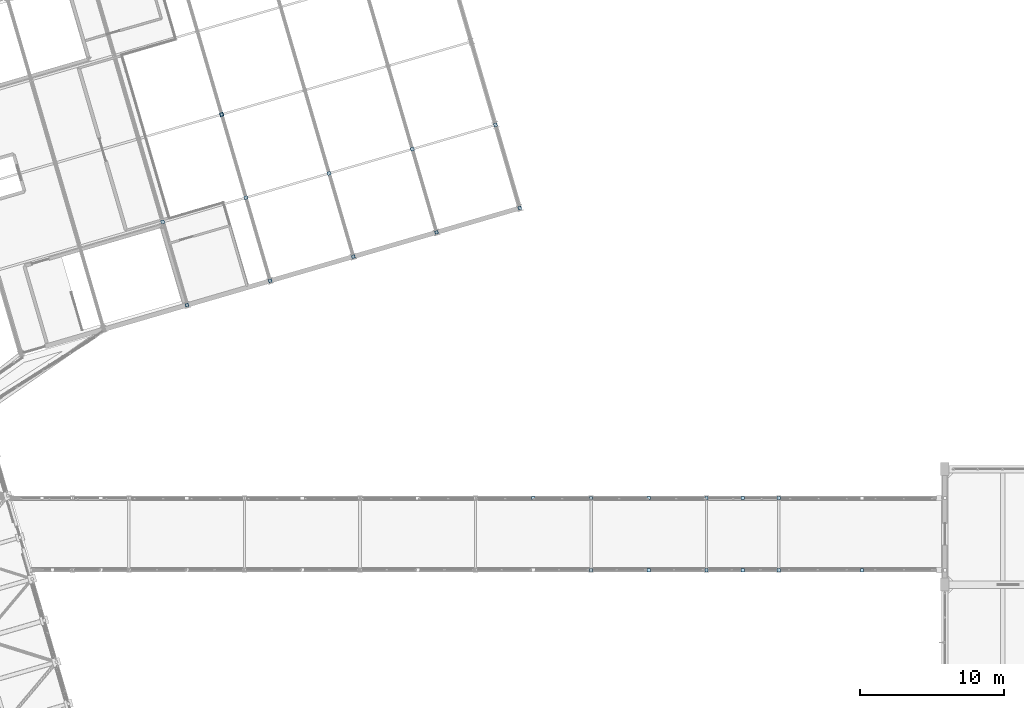
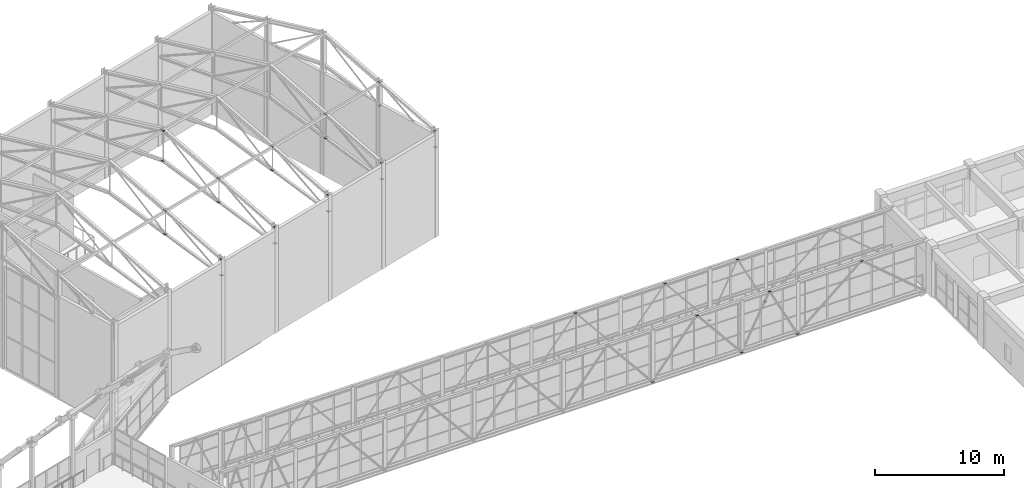
# One storey, part 219 of 248: 35 plates.
"""IFC4 building model written with IfcOpenShell, lengths in metres."""

from ifc_helpers import new_model, si_unit, direction, frame, origin, origin_2d, place, context, subcontext, project, spatial, rectangle, extrude, material, layer, layer_set, type_object, element, save


model = new_model("IFC4")

# Units and contexts
model_context = context("Model", 3, precision=1e-05, world=origin(), true_north=direction((0.0, 1.0)))
body_context = subcontext(model_context, "Body", "Model", "MODEL_VIEW")
ifc_project = project(units=[si_unit("LENGTHUNIT", "METRE"), si_unit("AREAUNIT", "SQUARE_METRE"), si_unit("VOLUMEUNIT", "CUBIC_METRE"), si_unit("PLANEANGLEUNIT", "RADIAN"), si_unit("MASSUNIT", "GRAM", prefix="KILO")], contexts=[model_context])

# Site, building, storey
site_placement = place(None, origin())
site = spatial("IfcSite", under=ifc_project, at=site_placement, CompositionType="ELEMENT")
building_placement = place(site_placement, origin())
building = spatial("IfcBuilding", under=site, at=building_placement, Name="Canggui Botanical Conservatory", CompositionType="ELEMENT")
storey_placement = place(building_placement, frame((0.0, 0.0, 5.39990234375)))
storey = spatial("IfcBuildingStorey", under=building, at=storey_placement, Name="L02", CompositionType="ELEMENT", Elevation=5.39990234375)

# Plates
ifc_material = material(Name="Steel Q355B", Category="steel")
ifc_layer = layer(ifc_material, 0.02001953125, Name="Steel Q355B", Category="steel")
ifc_layer_set = layer_set([ifc_layer], Name="Steel Q355B")
plate_type = type_object("IfcPlateType", Name="PLT-CAP-20", PredefinedType="USERDEFINED", material=ifc_layer_set)
for number, where, z_axis, x_axis, name in (
    (1, (77.52001953125, 93.360107421875, 8.39013671875), (0.0, 0.0, 1.0), (0.960000000041, 0.279999999861, 0.0), "CP-AT-03-WB1-0"),
    (2, (75.840087890625, 99.1201171875, 11.64013671875), (0.0, 0.0, 1.0), (0.960000000041, 0.279999999861, 0.0), "CP-AT-03-WB1-1"),
    (3, (75.840087890625, 99.1201171875, 9.39013671875), (0.0, 0.0, 1.0), (0.960000000041, 0.279999999861, 0.0), "CP-AT-03-WB2-0"),
):
    element("IfcPlate", number, at=place(storey_placement, frame(where, z_axis=z_axis, x_axis=x_axis)), inside=storey, type_object=plate_type, Name=name, ObjectType="END CAP PLATE", PredefinedType="USERDEFINED", context=body_context, shape_type="SweptSolid", body=[
        extrude(rectangle(XDim=0.239990234375, YDim=0.239990234375, at=origin_2d()), origin(), (0.0, 0.0, 1.0), 0.02001953125),
    ])
plate_1_placement = place(storey_placement, frame((77.52001953125, 93.360107421875, 9.940185546875), z_axis=(0.0, 0.0, 1.0), x_axis=(0.960000000041, 0.279999999861, 0.0)))
element("IfcPlate", 4, at=plate_1_placement, inside=storey, type_object=plate_type, Name="CP-AT-03-VT1-1", ObjectType="END CAP PLATE", PredefinedType="USERDEFINED", context=body_context, shape_type="SweptSolid", body=[
    extrude(rectangle(XDim=0.199951171875, YDim=0.199951171875, at=origin_2d()), origin(), (0.0, 0.0, 1.0), 0.02001953125),
])
for number, where, z_axis, x_axis, name in (
    (5, (83.280029296875, 95.0400390625, 8.39013671875), (0.0, 0.0, 1.0), (0.960000000041, 0.279999999861, 0.0), "CP-AT-04-WB1-0"),
    (6, (81.60009765625, 100.800048828125, 11.64013671875), (0.0, 0.0, 1.0), (0.960000000041, 0.279999999861, 0.0), "CP-AT-04-WB1-1"),
    (7, (81.60009765625, 100.800048828125, 9.39013671875), (0.0, 0.0, 1.0), (0.960000000041, 0.279999999861, 0.0), "CP-AT-04-WB2-0"),
    (8, (79.919921875, 106.56005859375, 13.340087890625), (0.0, 0.0, 1.0), (0.960000000041, 0.279999999861, 0.0), "CP-AT-04-WB2-1"),
):
    element("IfcPlate", number, at=place(storey_placement, frame(where, z_axis=z_axis, x_axis=x_axis)), inside=storey, type_object=plate_type, Name=name, ObjectType="END CAP PLATE", PredefinedType="USERDEFINED", context=body_context, shape_type="SweptSolid", body=[
        extrude(rectangle(XDim=0.239990234375, YDim=0.239990234375, at=origin_2d()), origin(), (0.0, 0.0, 1.0), 0.02001953125),
    ])
for number, where, z_axis, x_axis, name in (
    (9, (83.280029296875, 95.0400390625, 9.940185546875), (0.0, 0.0, 1.0), (0.960000000041, 0.279999999861, 0.0), "CP-AT-04-VT1-1"),
    (10, (79.919921875, 106.56005859375, 10.39013671875), (0.0, 0.0, 1.0), (0.960000000041, 0.279999999861, 0.0), "CP-AT-04-VT3-0"),
):
    element("IfcPlate", number, at=place(storey_placement, frame(where, z_axis=z_axis, x_axis=x_axis)), inside=storey, type_object=plate_type, Name=name, ObjectType="END CAP PLATE", PredefinedType="USERDEFINED", context=body_context, shape_type="SweptSolid", body=[
        extrude(rectangle(XDim=0.199951171875, YDim=0.199951171875, at=origin_2d()), origin(), (0.0, 0.0, 1.0), 0.02001953125),
    ])
for number, where, z_axis, x_axis, name in (
    (11, (89.0400390625, 96.719970703125, 8.39013671875), (0.0, 0.0, 1.0), (0.960000000041, 0.279999999861, 0.0), "CP-AT-05-WB1-0"),
    (12, (87.360107421875, 102.47998046875, 11.64013671875), (0.0, 0.0, 1.0), (0.960000000041, 0.279999999861, 0.0), "CP-AT-05-WB1-1"),
    (13, (87.360107421875, 102.47998046875, 9.39013671875), (0.0, 0.0, 1.0), (0.960000000041, 0.279999999861, 0.0), "CP-AT-05-WB2-0"),
):
    element("IfcPlate", number, at=place(storey_placement, frame(where, z_axis=z_axis, x_axis=x_axis)), inside=storey, type_object=plate_type, Name=name, ObjectType="END CAP PLATE", PredefinedType="USERDEFINED", context=body_context, shape_type="SweptSolid", body=[
        extrude(rectangle(XDim=0.239990234375, YDim=0.239990234375, at=origin_2d()), origin(), (0.0, 0.0, 1.0), 0.02001953125),
    ])
plate_2_placement = place(storey_placement, frame((89.0400390625, 96.719970703125, 9.940185546875), z_axis=(0.0, 0.0, 1.0), x_axis=(0.960000000041, 0.279999999861, 0.0)))
element("IfcPlate", 14, at=plate_2_placement, inside=storey, type_object=plate_type, Name="CP-AT-05-VT1-1", ObjectType="END CAP PLATE", PredefinedType="USERDEFINED", context=body_context, shape_type="SweptSolid", body=[
    extrude(rectangle(XDim=0.199951171875, YDim=0.199951171875, at=origin_2d()), origin(), (0.0, 0.0, 1.0), 0.02001953125),
])
for number, where, z_axis, x_axis, name in (
    (15, (94.800048828125, 98.39990234375, 8.39013671875), (0.0, 0.0, 1.0), (0.960000000041, 0.279999999861, 0.0), "CP-AT-06-WB1-0"),
    (16, (93.1201171875, 104.159912109375, 11.64013671875), (0.0, 0.0, 1.0), (0.960000000041, 0.279999999861, 0.0), "CP-AT-06-WB1-1"),
    (17, (93.1201171875, 104.159912109375, 9.39013671875), (0.0, 0.0, 1.0), (0.960000000041, 0.279999999861, 0.0), "CP-AT-06-WB2-0"),
):
    element("IfcPlate", number, at=place(storey_placement, frame(where, z_axis=z_axis, x_axis=x_axis)), inside=storey, type_object=plate_type, Name=name, ObjectType="END CAP PLATE", PredefinedType="USERDEFINED", context=body_context, shape_type="SweptSolid", body=[
        extrude(rectangle(XDim=0.239990234375, YDim=0.239990234375, at=origin_2d()), origin(), (0.0, 0.0, 1.0), 0.02001953125),
    ])
plate_3_placement = place(storey_placement, frame((94.800048828125, 98.39990234375, 9.940185546875), z_axis=(0.0, 0.0, 1.0), x_axis=(0.960000000041, 0.279999999861, 0.0)))
element("IfcPlate", 18, at=plate_3_placement, inside=storey, type_object=plate_type, Name="CP-AT-06-VT1-1", ObjectType="END CAP PLATE", PredefinedType="USERDEFINED", context=body_context, shape_type="SweptSolid", body=[
    extrude(rectangle(XDim=0.199951171875, YDim=0.199951171875, at=origin_2d()), origin(), (0.0, 0.0, 1.0), 0.02001953125),
])
for number, where, z_axis, x_axis, name in (
    (19, (100.56005859375, 100.080078125, 8.39013671875), (0.0, 0.0, 1.0), (0.960000000041, 0.279999999861, 0.0), "CP-AT-07-WB1-0"),
    (20, (98.8798828125, 105.840087890625, 11.64013671875), (0.0, 0.0, 1.0), (0.960000000041, 0.279999999861, 0.0), "CP-AT-07-WB1-1"),
    (21, (98.8798828125, 105.840087890625, 9.39013671875), (0.0, 0.0, 1.0), (0.960000000041, 0.279999999861, 0.0), "CP-AT-07-WB2-0"),
):
    element("IfcPlate", number, at=place(storey_placement, frame(where, z_axis=z_axis, x_axis=x_axis)), inside=storey, type_object=plate_type, Name=name, ObjectType="END CAP PLATE", PredefinedType="USERDEFINED", context=body_context, shape_type="SweptSolid", body=[
        extrude(rectangle(XDim=0.239990234375, YDim=0.239990234375, at=origin_2d()), origin(), (0.0, 0.0, 1.0), 0.02001953125),
    ])
plate_4_placement = place(storey_placement, frame((100.56005859375, 100.080078125, 9.940185546875), z_axis=(0.0, 0.0, 1.0), x_axis=(0.960000000041, 0.279999999861, 0.0)))
element("IfcPlate", 22, at=plate_4_placement, inside=storey, type_object=plate_type, Name="CP-AT-07-VT1-1", ObjectType="END CAP PLATE", PredefinedType="USERDEFINED", context=body_context, shape_type="SweptSolid", body=[
    extrude(rectangle(XDim=0.199951171875, YDim=0.199951171875, at=origin_2d()), origin(), (0.0, 0.0, 1.0), 0.02001953125),
])
plate_5_placement = place(storey_placement, frame((79.919921875, 106.56005859375, 13.239990234375), z_axis=(0.0, 0.0, 1.0), x_axis=(0.960000000041, 0.279999999861, 0.0)))
element("IfcPlate", 23, at=plate_5_placement, inside=storey, type_object=plate_type, Name="CP-AUD-PUR-03-2-1", ObjectType="END CAP PLATE", PredefinedType="USERDEFINED", context=body_context, shape_type="SweptSolid", body=[
    extrude(rectangle(XDim=0.280029296875, YDim=0.280029296875, at=origin_2d()), origin(), (0.0, 0.0, 1.0), 0.02001953125),
])
for number, where, z_axis, x_axis, name in (
    (24, (105.5, 75.0, -0.35986328125), (0.0, 0.0, 1.0), (1.0, 0.0, 0.0), "CP-SB-04-WBM-0-6B-1"),
    (25, (109.5, 75.0, 4.5400390625), (0.0, 0.0, 1.0), (1.0, 0.0, 0.0), "CP-SB-04-WBM-0-7A-1"),
    (26, (113.5, 75.0, -0.35986328125), (0.0, 0.0, 1.0), (1.0, 0.0, 0.0), "CP-SB-04-WBM-0-7B-1"),
    (27, (116.0, 75.0, 4.5400390625), (0.0, 0.0, 1.0), (1.0, 0.0, 0.0), "CP-SB-04-WBM-0-8A-1"),
    (28, (118.5, 75.0, -0.35986328125), (0.0, 0.0, 1.0), (1.0, 0.0, 0.0), "CP-SB-04-WBM-0-8B-1"),
    (29, (124.25, 75.0, 4.5400390625), (0.0, 0.0, 1.0), (1.0, 0.0, 0.0), "CP-SB-04-WBM-0-9A-1"),
    (30, (101.5, 80.0, 4.5400390625), (0.0, 0.0, 1.0), (1.0, 0.0, 0.0), "CP-SB-04-WBM-1-6A-1"),
    (31, (105.5, 80.0, -0.35986328125), (0.0, 0.0, 1.0), (1.0, 0.0, 0.0), "CP-SB-04-WBM-1-6B-1"),
    (32, (109.5, 80.0, 4.5400390625), (0.0, 0.0, 1.0), (1.0, 0.0, 0.0), "CP-SB-04-WBM-1-7A-1"),
    (33, (113.5, 80.0, -0.35986328125), (0.0, 0.0, 1.0), (1.0, 0.0, 0.0), "CP-SB-04-WBM-1-7B-1"),
    (34, (116.0, 80.0, 4.5400390625), (0.0, 0.0, 1.0), (1.0, 0.0, 0.0), "CP-SB-04-WBM-1-8A-1"),
    (35, (118.5, 80.0, -0.35986328125), (0.0, 0.0, 1.0), (1.0, 0.0, 0.0), "CP-SB-04-WBM-1-8B-1"),
):
    element("IfcPlate", number, at=place(storey_placement, frame(where, z_axis=z_axis, x_axis=x_axis)), inside=storey, type_object=plate_type, Name=name, ObjectType="END CAP PLATE", PredefinedType="USERDEFINED", context=body_context, shape_type="SweptSolid", body=[
        extrude(rectangle(XDim=0.219970703125, YDim=0.219970703125, at=origin_2d()), origin(), (0.0, 0.0, 1.0), 0.02001953125),
    ])

save(model, "model.ifc")
